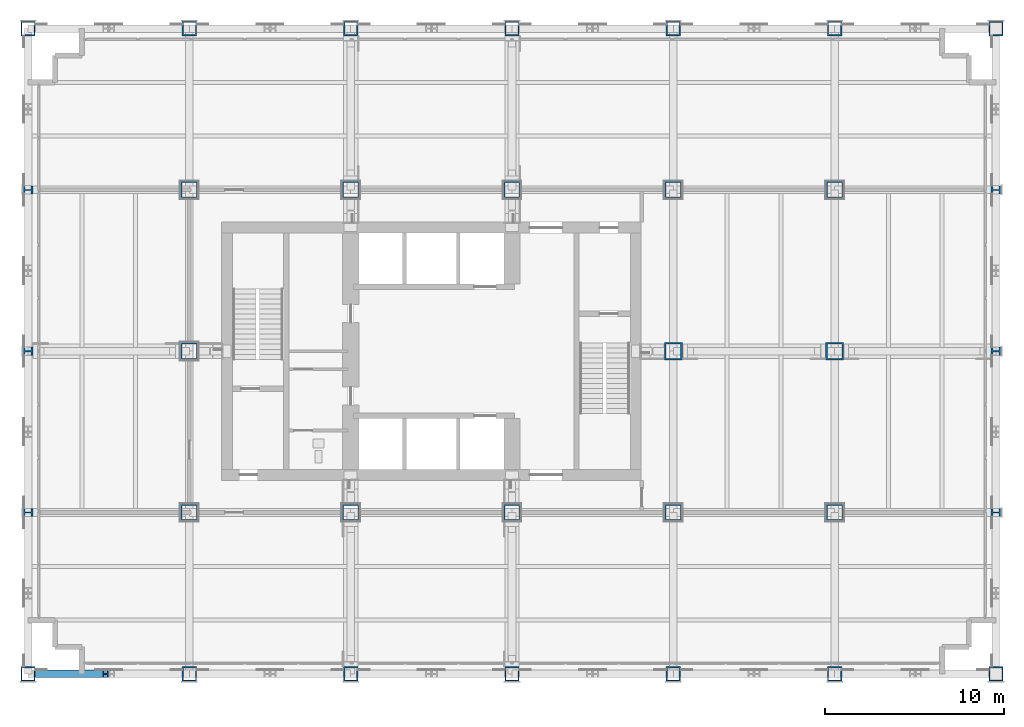
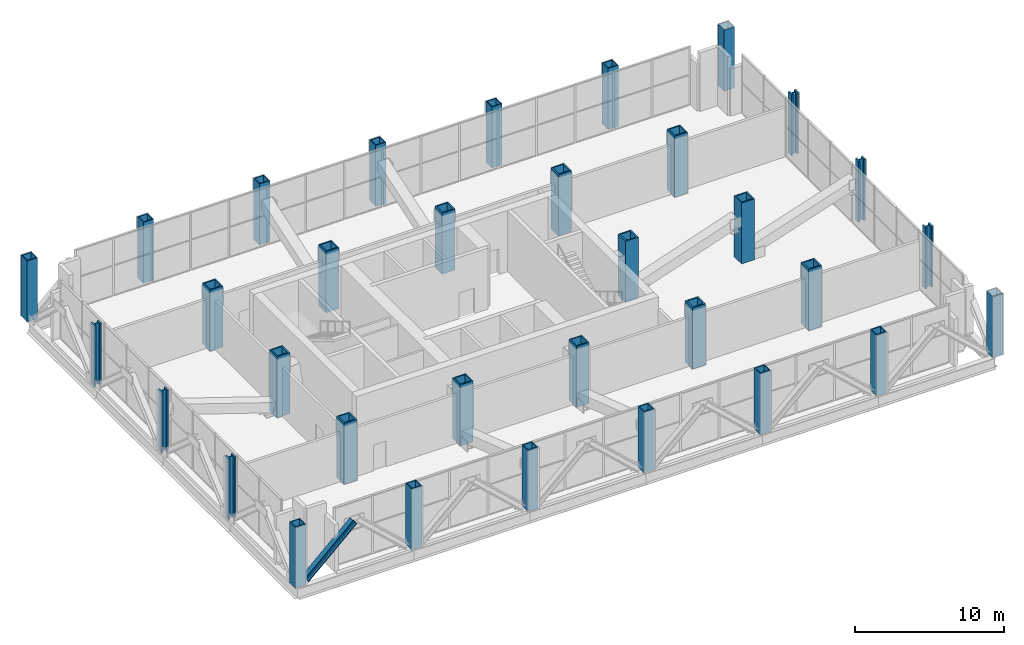
# One storey, part 1 of 19: 33 columns, 1 member.
"""IFC4 building model written with IfcOpenShell, lengths in metres."""

from ifc_helpers import new_model, si_unit, direction, frame, origin, origin_2d, place, context, subcontext, project, spatial, hollow_rectangle, i_section, extrude, material, material_profile, profile_set, type_object, element, save


model = new_model("IFC4")

# Units and contexts
model_context = context("Model", 3, precision=1e-05, world=origin(), true_north=direction((0.0, 1.0)))
body_context = subcontext(model_context, "Body", "Model", "MODEL_VIEW")
ifc_project = project(units=[si_unit("LENGTHUNIT", "METRE"), si_unit("AREAUNIT", "SQUARE_METRE"), si_unit("VOLUMEUNIT", "CUBIC_METRE"), si_unit("PLANEANGLEUNIT", "RADIAN"), si_unit("MASSUNIT", "GRAM", prefix="KILO")], contexts=[model_context])

# Site, building, storey
site_placement = place(None, origin())
site = spatial("IfcSite", under=ifc_project, at=site_placement, CompositionType="ELEMENT")
building_placement = place(site_placement, origin())
building = spatial("IfcBuilding", under=site, at=building_placement, Name="Loomwork Tower", CompositionType="ELEMENT")
storey_placement = place(building_placement, frame((0.0, 0.0, 89.199951171875)))
storey = spatial("IfcBuildingStorey", under=building, at=storey_placement, Name="L23", CompositionType="ELEMENT", Elevation=89.199951171875)

# Columns
ifc_material_1 = material(Name="Steel ASTM A572 Grade 50 plate", Category="steel")
ifc_material_profile_1 = material_profile(ifc_material_1, hollow_rectangle(XDim=0.800048828125, YDim=0.800048828125, WallThickness=0.070068359375, at=origin_2d()), Name="BOX800x70")
ifc_profile_set_1 = profile_set([ifc_material_profile_1], Name="Steel ASTM A572 Grade 50 plate")
column_type_1 = type_object("IfcColumnType", Name="EXOSKELETON PIER BOX800x70", PredefinedType="COLUMN", material=ifc_profile_set_1)
for number, where, z_axis, x_axis, name in (
    (1, (0.0, 0.0, 0.0), (0.0, 0.0, 1.0), (1.0, 0.0, 0.0), "Exoskeleton Pier D/2 L23"),
    (2, (0.0, 36.0, 0.0), (0.0, 0.0, 1.0), (1.0, 0.0, 0.0), "Exoskeleton Pier H/2 L23"),
    (3, (9.0, 0.0, 0.0), (0.0, 0.0, 1.0), (1.0, 0.0, 0.0), "Exoskeleton Pier D/3 L23"),
    (4, (9.0, 36.0, 0.0), (0.0, 0.0, 1.0), (1.0, 0.0, 0.0), "Exoskeleton Pier H/3 L23"),
    (5, (18.0, 0.0, 0.0), (0.0, 0.0, 1.0), (1.0, 0.0, 0.0), "Exoskeleton Pier D/4 L23"),
    (6, (18.0, 36.0, 0.0), (0.0, 0.0, 1.0), (1.0, 0.0, 0.0), "Exoskeleton Pier H/4 L23"),
    (7, (27.0, 0.0, 0.0), (0.0, 0.0, 1.0), (1.0, 0.0, 0.0), "Exoskeleton Pier D/5 L23"),
    (8, (27.0, 36.0, 0.0), (0.0, 0.0, 1.0), (1.0, 0.0, 0.0), "Exoskeleton Pier H/5 L23"),
    (9, (36.0, 0.0, 0.0), (0.0, 0.0, 1.0), (1.0, 0.0, 0.0), "Exoskeleton Pier D/6 L23"),
    (10, (36.0, 36.0, 0.0), (0.0, 0.0, 1.0), (1.0, 0.0, 0.0), "Exoskeleton Pier H/6 L23"),
    (11, (45.0, 0.0, 0.0), (0.0, 0.0, 1.0), (1.0, 0.0, 0.0), "Exoskeleton Pier D/7 L23"),
    (12, (45.0, 36.0, 0.0), (0.0, 0.0, 1.0), (1.0, 0.0, 0.0), "Exoskeleton Pier H/7 L23"),
    (13, (54.0, 0.0, 0.0), (0.0, 0.0, 1.0), (1.0, 0.0, 0.0), "Exoskeleton Pier D/8 L23"),
    (14, (54.0, 36.0, 0.0), (0.0, 0.0, 1.0), (1.0, 0.0, 0.0), "Exoskeleton Pier H/8 L23"),
):
    element("IfcColumn", number, at=place(storey_placement, frame(where, z_axis=z_axis, x_axis=x_axis)), inside=storey, type_object=column_type_1, Name=name, PredefinedType="COLUMN", context=body_context, shape_type="SweptSolid", body=[
        extrude(hollow_rectangle(XDim=0.800048828125, YDim=0.800048828125, WallThickness=0.070068359375, at=origin_2d()), origin(), (0.0, 0.0, 1.0), 5.0),
    ])
ifc_material_2 = material(Name="Steel ASTM A992", Category="steel")
ifc_material_profile_2 = material_profile(ifc_material_2, i_section(OverallWidth=0.449462890625, OverallDepth=0.548583984375, WebThickness=0.07177734375, FlangeThickness=0.11474609375, at=origin_2d()), Name="W14x665")
ifc_profile_set_2 = profile_set([ifc_material_profile_2], Name="Steel ASTM A992")
column_type_2 = type_object("IfcColumnType", Name="EXOSKELETON PIER W14x665", PredefinedType="COLUMN", material=ifc_profile_set_2)
for number, where, z_axis, x_axis, name in (
    (15, (0.0, 9.0, 0.0), (0.0, 0.0, 1.0), (0.0, 1.0, 0.0), "Exoskeleton Pier E/2 L23"),
    (16, (0.0, 18.0, 0.0), (0.0, 0.0, 1.0), (0.0, 1.0, 0.0), "Exoskeleton Pier F/2 L23"),
    (17, (0.0, 27.0, 0.0), (0.0, 0.0, 1.0), (0.0, 1.0, 0.0), "Exoskeleton Pier G/2 L23"),
    (18, (54.0, 9.0, 0.0), (0.0, 0.0, 1.0), (0.0, 1.0, 0.0), "Exoskeleton Pier E/8 L23"),
    (19, (54.0, 18.0, 0.0), (0.0, 0.0, 1.0), (0.0, 1.0, 0.0), "Exoskeleton Pier F/8 L23"),
    (20, (54.0, 27.0, 0.0), (0.0, 0.0, 1.0), (0.0, 1.0, 0.0), "Exoskeleton Pier G/8 L23"),
):
    element("IfcColumn", number, at=place(storey_placement, frame(where, z_axis=z_axis, x_axis=x_axis)), inside=storey, type_object=column_type_2, Name=name, PredefinedType="COLUMN", context=body_context, shape_type="SweptSolid", body=[
        extrude(i_section(OverallWidth=0.449462890625, OverallDepth=0.548583984375, WebThickness=0.07177734375, FlangeThickness=0.11474609375, at=origin_2d()), origin(), (0.0, 0.0, 1.0), 5.0),
    ])
ifc_material_3 = material(Name="Steel ASTM A572 Grade 50 plate", Category="steel")
ifc_material_profile_3 = material_profile(ifc_material_3, hollow_rectangle(XDim=1.0, YDim=1.0, WallThickness=0.10009765625, at=origin_2d()), Name="BOX1000x100")
ifc_profile_set_3 = profile_set([ifc_material_profile_3], Name="Steel ASTM A572 Grade 50 plate")
column_type_3 = type_object("IfcColumnType", Name="TOWER COLUMN BOX1000x100", PredefinedType="COLUMN", material=ifc_profile_set_3)
for number, where, z_axis, x_axis, name in (
    (21, (9.0, 9.0, 0.0), (0.0, 0.0, 1.0), (1.0, 0.0, 0.0), "Tower Column E/3 L23"),
    (22, (9.0, 18.0, 0.0), (0.0, 0.0, 1.0), (1.0, 0.0, 0.0), "Tower Column F/3 L23"),
    (23, (9.0, 27.0, 0.0), (0.0, 0.0, 1.0), (1.0, 0.0, 0.0), "Tower Column G/3 L23"),
    (24, (18.0, 9.0, 0.0), (0.0, 0.0, 1.0), (1.0, 0.0, 0.0), "Tower Column E/4 L23"),
    (25, (18.0, 27.0, 0.0), (0.0, 0.0, 1.0), (1.0, 0.0, 0.0), "Tower Column G/4 L23"),
    (26, (27.0, 9.0, 0.0), (0.0, 0.0, 1.0), (1.0, 0.0, 0.0), "Tower Column E/5 L23"),
    (27, (27.0, 27.0, 0.0), (0.0, 0.0, 1.0), (1.0, 0.0, 0.0), "Tower Column G/5 L23"),
    (28, (36.0, 9.0, 0.0), (0.0, 0.0, 1.0), (0.0, 1.0, 0.0), "Tower Column E/6 L23"),
    (29, (36.0, 18.0, 0.0), (0.0, 0.0, 1.0), (0.0, 1.0, 0.0), "Tower Column F/6 L23"),
    (30, (36.0, 27.0, 0.0), (0.0, 0.0, 1.0), (1.0, 0.0, 0.0), "Tower Column G/6 L23"),
    (31, (45.0, 9.0, 0.0), (0.0, 0.0, 1.0), (0.0, 1.0, 0.0), "Tower Column E/7 L23"),
    (32, (45.0, 18.0, 0.0), (0.0, 0.0, 1.0), (0.0, 1.0, 0.0), "Tower Column F/7 L23"),
    (33, (45.0, 27.0, 0.0), (0.0, 0.0, 1.0), (0.0, 1.0, 0.0), "Tower Column G/7 L23"),
):
    element("IfcColumn", number, at=place(storey_placement, frame(where, z_axis=z_axis, x_axis=x_axis)), inside=storey, type_object=column_type_3, Name=name, PredefinedType="COLUMN", context=body_context, shape_type="SweptSolid", body=[
        extrude(hollow_rectangle(XDim=1.0, YDim=1.0, WallThickness=0.10009765625, at=origin_2d()), origin(), (0.0, 0.0, 1.0), 5.0),
    ])

# Member
ifc_material_4 = material(Name="Steel ASTM A992", Category="steel")
ifc_material_profile_4 = material_profile(ifc_material_4, i_section(OverallWidth=0.424072265625, OverallDepth=0.47509765625, WebThickness=0.0478515625, FlangeThickness=0.0771484375, at=origin_2d()), Name="W14x426")
ifc_profile_set_4 = profile_set([ifc_material_profile_4], Name="Steel ASTM A992")
member_type = type_object("IfcMemberType", Name="BELT TRUSS DIAGONAL W14x426", PredefinedType="BRACE", material=ifc_profile_set_4)
member_placement = place(storey_placement, frame((0.5712890625, 0.0, 0.184326171875), z_axis=(0.733437826244, 0.0, 0.679756541001), x_axis=(0.0, 1.0, 0.0)))
element("IfcMember", 34, at=member_placement, inside=storey, type_object=member_type, Name="Belt truss diagonal D/2-D/3 L23", PredefinedType="BRACE", context=body_context, shape_type="SweptSolid", body=[
    extrude(i_section(OverallWidth=0.424072265625, OverallDepth=0.47509765625, WebThickness=0.0478515625, FlangeThickness=0.0771484375, at=origin_2d()), origin(), (0.0, 0.0, 1.0), 5.12548828125),
])

save(model, "model.ifc")
